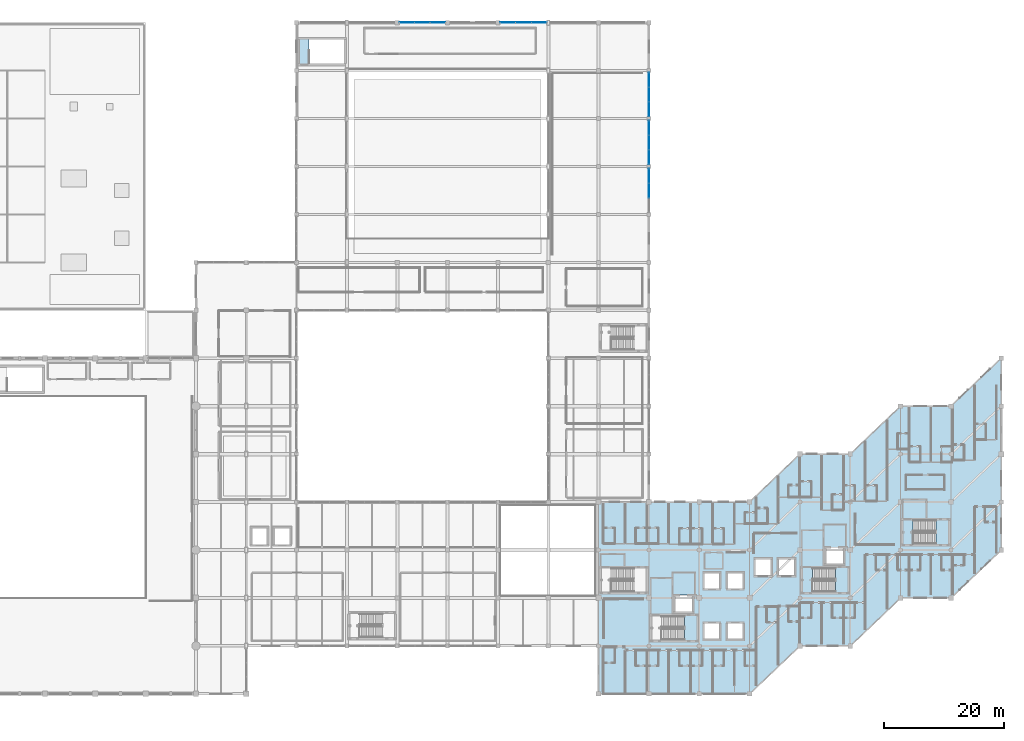
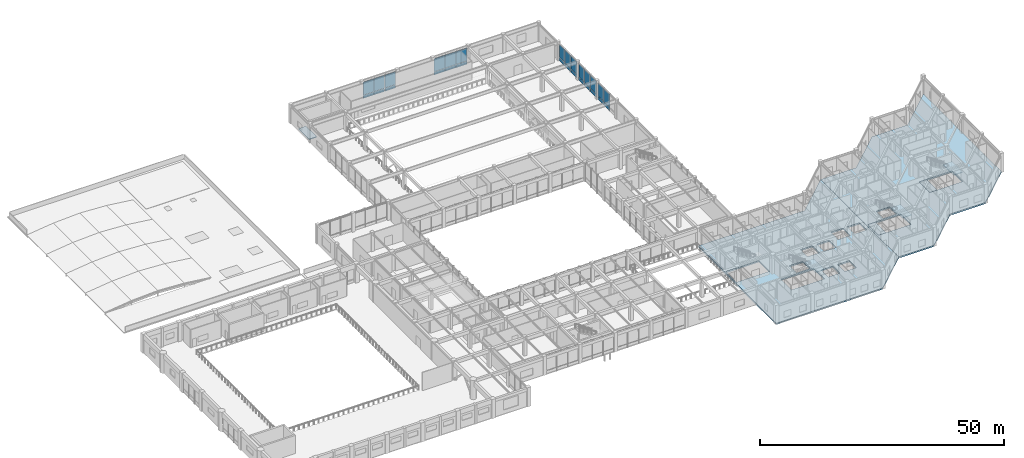
# One storey, part 48 of 76: 28 plates, 8 slabs, 8 elements without a shape of their own.
"""IFC4 building model written with IfcOpenShell, lengths in metres."""

from ifc_helpers import new_model, si_unit, direction, frame, origin, origin_2d, place, context, subcontext, project, spatial, polyline, rectangle, outline, extrude, material, layer, layer_set, type_object, element, aggregate, save


model = new_model("IFC4")

# Units and contexts
model_context = context("Model", 3, precision=1e-05, world=origin(), true_north=direction((0.0, 1.0)))
body_context = subcontext(model_context, "Body", "Model", "MODEL_VIEW")
ifc_project = project(units=[si_unit("LENGTHUNIT", "METRE"), si_unit("AREAUNIT", "SQUARE_METRE"), si_unit("VOLUMEUNIT", "CUBIC_METRE"), si_unit("PLANEANGLEUNIT", "RADIAN"), si_unit("MASSUNIT", "GRAM", prefix="KILO")], contexts=[model_context])

# Site, building, storey
site_placement = place(None, origin())
site = spatial("IfcSite", under=ifc_project, at=site_placement, CompositionType="ELEMENT")
building_placement = place(site_placement, origin())
building = spatial("IfcBuilding", under=site, at=building_placement, Name="Naruveol Harbour Congress Hotel", CompositionType="ELEMENT")
storey_placement = place(building_placement, frame((0.0, 0.0, 11.39990234375)))
storey = spatial("IfcBuildingStorey", under=building, at=storey_placement, Name="L02", CompositionType="ELEMENT", Elevation=11.39990234375)

# Curtain wall, plates
ifc_material_1 = material(Name="Low-E Curtain Wall System", Category="glass")
ifc_layer_1 = layer(ifc_material_1, 0.179931640625)
ifc_layer_set_1 = layer_set([ifc_layer_1], Name="Low-E Curtain Wall System")
curtain_wall_type_1 = type_object("IfcCurtainWallType", Name="UNITISED CURTAIN WALL CW-V2N-22 7700X4250", PredefinedType="USERDEFINED", material=ifc_layer_set_1)
curtain_wall_1_placement = place(storey_placement, origin())
curtain_wall_1 = element("IfcCurtainWall", 1, at=curtain_wall_1_placement, inside=storey, type_object=curtain_wall_type_1, Name="Unitised curtain wall CW-V2N-22 L02", ObjectType="UNITISED GLAZING", PredefinedType="USERDEFINED")
ifc_material_2 = material(Name="Anodised Aluminium Spandrel", Category="aluminium")
ifc_layer_2 = layer(ifc_material_2, 0.054931640625)
ifc_layer_set_2 = layer_set([ifc_layer_2], Name="Anodised Aluminium Spandrel")
plate_type_1 = type_object("IfcPlateType", Name="INSULATED CERAMIC SPANDREL PANEL 55", PredefinedType="CURTAIN_PANEL", material=ifc_layer_set_2)
plate_1_placement = place(storey_placement, frame((85.63330078125, 112.010009765625, 0.0400390625), z_axis=(0.0, 0.0, 1.0), x_axis=(1.0, 0.0, 0.0)))
plate_1 = element("IfcPlate", 2, at=plate_1_placement, type_object=plate_type_1, Name="Curtain wall spandrel panel CW-L02-0047-PS0", PredefinedType="CURTAIN_PANEL", context=body_context, shape_type="SweptSolid", body=[
    extrude(rectangle(XDim=2.487060546875, YDim=0.054931640625, at=origin_2d()), origin(), (0.0, 0.0, 1.0), 0.77001953125),
])
plate_2_placement = place(storey_placement, frame((88.199951171875, 112.010009765625, 0.0400390625), z_axis=(0.0, 0.0, 1.0), x_axis=(1.0, 0.0, 0.0)))
plate_2 = element("IfcPlate", 3, at=plate_2_placement, type_object=plate_type_1, Name="Curtain wall spandrel panel CW-L02-0047-PS1", PredefinedType="CURTAIN_PANEL", context=body_context, shape_type="SweptSolid", body=[
    extrude(rectangle(XDim=2.487060546875, YDim=0.054931640625, at=origin_2d()), origin(), (0.0, 0.0, 1.0), 0.77001953125),
])
plate_3_placement = place(storey_placement, frame((90.7666015625, 112.010009765625, 0.0400390625), z_axis=(0.0, 0.0, 1.0), x_axis=(1.0, 0.0, 0.0)))
plate_3 = element("IfcPlate", 4, at=plate_3_placement, type_object=plate_type_1, Name="Curtain wall spandrel panel CW-L02-0047-PS2", PredefinedType="CURTAIN_PANEL", context=body_context, shape_type="SweptSolid", body=[
    extrude(rectangle(XDim=2.487060546875, YDim=0.054931640625, at=origin_2d()), origin(), (0.0, 0.0, 1.0), 0.77001953125),
])

ifc_material_3 = material(Name="Low-E Curtain Wall System", Category="glass")
ifc_layer_3 = layer(ifc_material_3, 0.179931640625)
ifc_layer_set_3 = layer_set([ifc_layer_3], Name="Low-E Curtain Wall System")
curtain_wall_type_2 = type_object("IfcCurtainWallType", Name="UNITISED CURTAIN WALL CW-V2N-23 7800X4250", PredefinedType="USERDEFINED", material=ifc_layer_set_3)
curtain_wall_2_placement = place(storey_placement, origin())
curtain_wall_2 = element("IfcCurtainWall", 5, at=curtain_wall_2_placement, inside=storey, type_object=curtain_wall_type_2, Name="Unitised curtain wall CW-V2N-23 L02", ObjectType="UNITISED GLAZING", PredefinedType="USERDEFINED")
plate_4_placement = place(storey_placement, frame((102.449951171875, 112.010009765625, 0.0400390625), z_axis=(0.0, 0.0, 1.0), x_axis=(1.0, 0.0, 0.0)))
plate_4 = element("IfcPlate", 6, at=plate_4_placement, type_object=plate_type_1, Name="Curtain wall spandrel panel CW-L02-0048-PS0", PredefinedType="CURTAIN_PANEL", context=body_context, shape_type="SweptSolid", body=[
    extrude(rectangle(XDim=2.52001953125, YDim=0.054931640625, at=origin_2d()), origin(), (0.0, 0.0, 1.0), 0.77001953125),
])
plate_5_placement = place(storey_placement, frame((105.050048828125, 112.010009765625, 0.0400390625), z_axis=(0.0, 0.0, 1.0), x_axis=(1.0, 0.0, 0.0)))
plate_5 = element("IfcPlate", 7, at=plate_5_placement, type_object=plate_type_1, Name="Curtain wall spandrel panel CW-L02-0048-PS1", PredefinedType="CURTAIN_PANEL", context=body_context, shape_type="SweptSolid", body=[
    extrude(rectangle(XDim=2.52001953125, YDim=0.054931640625, at=origin_2d()), origin(), (0.0, 0.0, 1.0), 0.77001953125),
])
plate_6_placement = place(storey_placement, frame((107.64990234375, 112.010009765625, 0.0400390625), z_axis=(0.0, 0.0, 1.0), x_axis=(1.0, 0.0, 0.0)))
plate_6 = element("IfcPlate", 8, at=plate_6_placement, type_object=plate_type_1, Name="Curtain wall spandrel panel CW-L02-0048-PS2", PredefinedType="CURTAIN_PANEL", context=body_context, shape_type="SweptSolid", body=[
    extrude(rectangle(XDim=2.52001953125, YDim=0.054931640625, at=origin_2d()), origin(), (0.0, 0.0, 1.0), 0.77001953125),
])

ifc_material_4 = material(Name="Low-E Curtain Wall System", Category="glass")
ifc_layer_4 = layer(ifc_material_4, 0.179931640625)
ifc_layer_set_4 = layer_set([ifc_layer_4], Name="Low-E Curtain Wall System")
curtain_wall_type_3 = type_object("IfcCurtainWallType", Name="UNITISED CURTAIN WALL CW-V2E-24 7300X4250", PredefinedType="USERDEFINED", material=ifc_layer_set_4)
curtain_wall_3_placement = place(storey_placement, origin())
curtain_wall_3 = element("IfcCurtainWall", 9, at=curtain_wall_3_placement, inside=storey, type_object=curtain_wall_type_3, Name="Unitised curtain wall CW-V2E-24 L02", ObjectType="UNITISED GLAZING", PredefinedType="USERDEFINED")
plate_7_placement = place(storey_placement, frame((126.010009765625, 86.433349609375, 0.0400390625), z_axis=(0.0, 0.0, 1.0), x_axis=(0.0, -1.0, 0.0)))
plate_7 = element("IfcPlate", 10, at=plate_7_placement, type_object=plate_type_1, Name="Curtain wall spandrel panel CW-L02-0049-PS0", PredefinedType="CURTAIN_PANEL", context=body_context, shape_type="SweptSolid", body=[
    extrude(rectangle(XDim=2.35302734375, YDim=0.054931640625, at=origin_2d()), origin(), (0.0, 0.0, 1.0), 0.77001953125),
])
plate_8_placement = place(storey_placement, frame((126.010009765625, 84.0, 0.0400390625), z_axis=(0.0, 0.0, 1.0), x_axis=(0.0, -1.0, 0.0)))
plate_8 = element("IfcPlate", 11, at=plate_8_placement, type_object=plate_type_1, Name="Curtain wall spandrel panel CW-L02-0049-PS1", PredefinedType="CURTAIN_PANEL", context=body_context, shape_type="SweptSolid", body=[
    extrude(rectangle(XDim=2.35302734375, YDim=0.054931640625, at=origin_2d()), origin(), (0.0, 0.0, 1.0), 0.77001953125),
])

curtain_wall_4_placement = place(storey_placement, origin())
curtain_wall_4 = element("IfcCurtainWall", 12, at=curtain_wall_4_placement, inside=storey, type_object=curtain_wall_type_3, Name="Unitised curtain wall CW-V2E-24 L02", ObjectType="UNITISED GLAZING", PredefinedType="USERDEFINED")
plate_9_placement = place(storey_placement, frame((126.010009765625, 94.433349609375, 0.0400390625), z_axis=(0.0, 0.0, 1.0), x_axis=(0.0, -1.0, 0.0)))
plate_9 = element("IfcPlate", 13, at=plate_9_placement, type_object=plate_type_1, Name="Curtain wall spandrel panel CW-L02-0050-PS0", PredefinedType="CURTAIN_PANEL", context=body_context, shape_type="SweptSolid", body=[
    extrude(rectangle(XDim=2.35302734375, YDim=0.054931640625, at=origin_2d()), origin(), (0.0, 0.0, 1.0), 0.77001953125),
])
plate_10_placement = place(storey_placement, frame((126.010009765625, 92.0, 0.0400390625), z_axis=(0.0, 0.0, 1.0), x_axis=(0.0, -1.0, 0.0)))
plate_10 = element("IfcPlate", 14, at=plate_10_placement, type_object=plate_type_1, Name="Curtain wall spandrel panel CW-L02-0050-PS1", PredefinedType="CURTAIN_PANEL", context=body_context, shape_type="SweptSolid", body=[
    extrude(rectangle(XDim=2.35302734375, YDim=0.054931640625, at=origin_2d()), origin(), (0.0, 0.0, 1.0), 0.77001953125),
])
plate_11_placement = place(storey_placement, frame((126.010009765625, 89.566650390625, 0.0400390625), z_axis=(0.0, 0.0, 1.0), x_axis=(0.0, -1.0, 0.0)))
plate_11 = element("IfcPlate", 15, at=plate_11_placement, type_object=plate_type_1, Name="Curtain wall spandrel panel CW-L02-0050-PS2", PredefinedType="CURTAIN_PANEL", context=body_context, shape_type="SweptSolid", body=[
    extrude(rectangle(XDim=2.35302734375, YDim=0.054931640625, at=origin_2d()), origin(), (0.0, 0.0, 1.0), 0.77001953125),
])

curtain_wall_5_placement = place(storey_placement, origin())
curtain_wall_5 = element("IfcCurtainWall", 16, at=curtain_wall_5_placement, inside=storey, type_object=curtain_wall_type_3, Name="Unitised curtain wall CW-V2E-24 L02", ObjectType="UNITISED GLAZING", PredefinedType="USERDEFINED")
plate_12_placement = place(storey_placement, frame((126.010009765625, 102.433349609375, 0.0400390625), z_axis=(0.0, 0.0, 1.0), x_axis=(0.0, -1.0, 0.0)))
plate_12 = element("IfcPlate", 17, at=plate_12_placement, type_object=plate_type_1, Name="Curtain wall spandrel panel CW-L02-0051-PS0", PredefinedType="CURTAIN_PANEL", context=body_context, shape_type="SweptSolid", body=[
    extrude(rectangle(XDim=2.35302734375, YDim=0.054931640625, at=origin_2d()), origin(), (0.0, 0.0, 1.0), 0.77001953125),
])
plate_13_placement = place(storey_placement, frame((126.010009765625, 100.0, 0.0400390625), z_axis=(0.0, 0.0, 1.0), x_axis=(0.0, -1.0, 0.0)))
plate_13 = element("IfcPlate", 18, at=plate_13_placement, type_object=plate_type_1, Name="Curtain wall spandrel panel CW-L02-0051-PS1", PredefinedType="CURTAIN_PANEL", context=body_context, shape_type="SweptSolid", body=[
    extrude(rectangle(XDim=2.35302734375, YDim=0.054931640625, at=origin_2d()), origin(), (0.0, 0.0, 1.0), 0.77001953125),
])
plate_14_placement = place(storey_placement, frame((126.010009765625, 97.566650390625, 0.0400390625), z_axis=(0.0, 0.0, 1.0), x_axis=(0.0, -1.0, 0.0)))
plate_14 = element("IfcPlate", 19, at=plate_14_placement, type_object=plate_type_1, Name="Curtain wall spandrel panel CW-L02-0051-PS2", PredefinedType="CURTAIN_PANEL", context=body_context, shape_type="SweptSolid", body=[
    extrude(rectangle(XDim=2.35302734375, YDim=0.054931640625, at=origin_2d()), origin(), (0.0, 0.0, 1.0), 0.77001953125),
])

# Plate
ifc_material_5 = material(Name="Low-E Insulated Glass", Category="glass")
ifc_layer_5 = layer(ifc_material_5, 0.0419921875)
ifc_layer_set_5 = layer_set([ifc_layer_5], Name="Low-E Insulated Glass")
plate_type_2 = type_object("IfcPlateType", Name="LOW-E TRIPLE GLAZED CURTAIN PANEL 42", PredefinedType="CURTAIN_PANEL", material=ifc_layer_set_5)
plate_15_placement = place(storey_placement, frame((85.63330078125, 112.010009765625, 0.89013671875), z_axis=(0.0, 0.0, 1.0), x_axis=(1.0, 0.0, 0.0)))
plate_15 = element("IfcPlate", 20, at=plate_15_placement, type_object=plate_type_2, Name="Curtain wall vision panel CW-L02-0047-PG0", PredefinedType="CURTAIN_PANEL", context=body_context, shape_type="SweptSolid", body=[
    extrude(rectangle(XDim=2.487060546875, YDim=0.0419921875, at=origin_2d()), origin(), (0.0, 0.0, 1.0), 3.239990234375),
])

plate_16_placement = place(storey_placement, frame((88.199951171875, 112.010009765625, 0.89013671875), z_axis=(0.0, 0.0, 1.0), x_axis=(1.0, 0.0, 0.0)))
plate_16 = element("IfcPlate", 21, at=plate_16_placement, type_object=plate_type_2, Name="Curtain wall vision panel CW-L02-0047-PG1", PredefinedType="CURTAIN_PANEL", context=body_context, shape_type="SweptSolid", body=[
    extrude(rectangle(XDim=2.487060546875, YDim=0.0419921875, at=origin_2d()), origin(), (0.0, 0.0, 1.0), 3.239990234375),
])

plate_17_placement = place(storey_placement, frame((90.7666015625, 112.010009765625, 0.89013671875), z_axis=(0.0, 0.0, 1.0), x_axis=(1.0, 0.0, 0.0)))
plate_17 = element("IfcPlate", 22, at=plate_17_placement, type_object=plate_type_2, Name="Curtain wall vision panel CW-L02-0047-PG2", PredefinedType="CURTAIN_PANEL", context=body_context, shape_type="SweptSolid", body=[
    extrude(rectangle(XDim=2.487060546875, YDim=0.0419921875, at=origin_2d()), origin(), (0.0, 0.0, 1.0), 3.239990234375),
])

aggregate(curtain_wall_1, [plate_1, plate_15, plate_2, plate_16, plate_3, plate_17])

plate_18_placement = place(storey_placement, frame((102.449951171875, 112.010009765625, 0.89013671875), z_axis=(0.0, 0.0, 1.0), x_axis=(1.0, 0.0, 0.0)))
plate_18 = element("IfcPlate", 23, at=plate_18_placement, type_object=plate_type_2, Name="Curtain wall vision panel CW-L02-0048-PG0", PredefinedType="CURTAIN_PANEL", context=body_context, shape_type="SweptSolid", body=[
    extrude(rectangle(XDim=2.52001953125, YDim=0.0419921875, at=origin_2d()), origin(), (0.0, 0.0, 1.0), 3.239990234375),
])

plate_19_placement = place(storey_placement, frame((105.050048828125, 112.010009765625, 0.89013671875), z_axis=(0.0, 0.0, 1.0), x_axis=(1.0, 0.0, 0.0)))
plate_19 = element("IfcPlate", 24, at=plate_19_placement, type_object=plate_type_2, Name="Curtain wall vision panel CW-L02-0048-PG1", PredefinedType="CURTAIN_PANEL", context=body_context, shape_type="SweptSolid", body=[
    extrude(rectangle(XDim=2.52001953125, YDim=0.0419921875, at=origin_2d()), origin(), (0.0, 0.0, 1.0), 3.239990234375),
])

plate_20_placement = place(storey_placement, frame((107.64990234375, 112.010009765625, 0.89013671875), z_axis=(0.0, 0.0, 1.0), x_axis=(1.0, 0.0, 0.0)))
plate_20 = element("IfcPlate", 25, at=plate_20_placement, type_object=plate_type_2, Name="Curtain wall vision panel CW-L02-0048-PG2", PredefinedType="CURTAIN_PANEL", context=body_context, shape_type="SweptSolid", body=[
    extrude(rectangle(XDim=2.52001953125, YDim=0.0419921875, at=origin_2d()), origin(), (0.0, 0.0, 1.0), 3.239990234375),
])

aggregate(curtain_wall_2, [plate_4, plate_18, plate_5, plate_19, plate_6, plate_20])

plate_21_placement = place(storey_placement, frame((126.010009765625, 86.433349609375, 0.89013671875), z_axis=(0.0, 0.0, 1.0), x_axis=(0.0, -1.0, 0.0)))
plate_21 = element("IfcPlate", 26, at=plate_21_placement, type_object=plate_type_2, Name="Curtain wall vision panel CW-L02-0049-PG0", PredefinedType="CURTAIN_PANEL", context=body_context, shape_type="SweptSolid", body=[
    extrude(rectangle(XDim=2.35302734375, YDim=0.0419921875, at=origin_2d()), origin(), (0.0, 0.0, 1.0), 3.239990234375),
])

plate_22_placement = place(storey_placement, frame((126.010009765625, 84.0, 0.89013671875), z_axis=(0.0, 0.0, 1.0), x_axis=(0.0, -1.0, 0.0)))
plate_22 = element("IfcPlate", 27, at=plate_22_placement, type_object=plate_type_2, Name="Curtain wall vision panel CW-L02-0049-PG1", PredefinedType="CURTAIN_PANEL", context=body_context, shape_type="SweptSolid", body=[
    extrude(rectangle(XDim=2.35302734375, YDim=0.0419921875, at=origin_2d()), origin(), (0.0, 0.0, 1.0), 3.239990234375),
])

aggregate(curtain_wall_3, [plate_7, plate_21, plate_8, plate_22])

plate_23_placement = place(storey_placement, frame((126.010009765625, 94.433349609375, 0.89013671875), z_axis=(0.0, 0.0, 1.0), x_axis=(0.0, -1.0, 0.0)))
plate_23 = element("IfcPlate", 28, at=plate_23_placement, type_object=plate_type_2, Name="Curtain wall vision panel CW-L02-0050-PG0", PredefinedType="CURTAIN_PANEL", context=body_context, shape_type="SweptSolid", body=[
    extrude(rectangle(XDim=2.35302734375, YDim=0.0419921875, at=origin_2d()), origin(), (0.0, 0.0, 1.0), 3.239990234375),
])

plate_24_placement = place(storey_placement, frame((126.010009765625, 92.0, 0.89013671875), z_axis=(0.0, 0.0, 1.0), x_axis=(0.0, -1.0, 0.0)))
plate_24 = element("IfcPlate", 29, at=plate_24_placement, type_object=plate_type_2, Name="Curtain wall vision panel CW-L02-0050-PG1", PredefinedType="CURTAIN_PANEL", context=body_context, shape_type="SweptSolid", body=[
    extrude(rectangle(XDim=2.35302734375, YDim=0.0419921875, at=origin_2d()), origin(), (0.0, 0.0, 1.0), 3.239990234375),
])

plate_25_placement = place(storey_placement, frame((126.010009765625, 89.566650390625, 0.89013671875), z_axis=(0.0, 0.0, 1.0), x_axis=(0.0, -1.0, 0.0)))
plate_25 = element("IfcPlate", 30, at=plate_25_placement, type_object=plate_type_2, Name="Curtain wall vision panel CW-L02-0050-PG2", PredefinedType="CURTAIN_PANEL", context=body_context, shape_type="SweptSolid", body=[
    extrude(rectangle(XDim=2.35302734375, YDim=0.0419921875, at=origin_2d()), origin(), (0.0, 0.0, 1.0), 3.239990234375),
])

aggregate(curtain_wall_4, [plate_9, plate_23, plate_10, plate_24, plate_11, plate_25])

plate_26_placement = place(storey_placement, frame((126.010009765625, 102.433349609375, 0.89013671875), z_axis=(0.0, 0.0, 1.0), x_axis=(0.0, -1.0, 0.0)))
plate_26 = element("IfcPlate", 31, at=plate_26_placement, type_object=plate_type_2, Name="Curtain wall vision panel CW-L02-0051-PG0", PredefinedType="CURTAIN_PANEL", context=body_context, shape_type="SweptSolid", body=[
    extrude(rectangle(XDim=2.35302734375, YDim=0.0419921875, at=origin_2d()), origin(), (0.0, 0.0, 1.0), 3.239990234375),
])

plate_27_placement = place(storey_placement, frame((126.010009765625, 100.0, 0.89013671875), z_axis=(0.0, 0.0, 1.0), x_axis=(0.0, -1.0, 0.0)))
plate_27 = element("IfcPlate", 32, at=plate_27_placement, type_object=plate_type_2, Name="Curtain wall vision panel CW-L02-0051-PG1", PredefinedType="CURTAIN_PANEL", context=body_context, shape_type="SweptSolid", body=[
    extrude(rectangle(XDim=2.35302734375, YDim=0.0419921875, at=origin_2d()), origin(), (0.0, 0.0, 1.0), 3.239990234375),
])

plate_28_placement = place(storey_placement, frame((126.010009765625, 97.566650390625, 0.89013671875), z_axis=(0.0, 0.0, 1.0), x_axis=(0.0, -1.0, 0.0)))
plate_28 = element("IfcPlate", 33, at=plate_28_placement, type_object=plate_type_2, Name="Curtain wall vision panel CW-L02-0051-PG2", PredefinedType="CURTAIN_PANEL", context=body_context, shape_type="SweptSolid", body=[
    extrude(rectangle(XDim=2.35302734375, YDim=0.0419921875, at=origin_2d()), origin(), (0.0, 0.0, 1.0), 3.239990234375),
])

aggregate(curtain_wall_5, [plate_12, plate_26, plate_13, plate_27, plate_14, plate_28])

# Slabs
ifc_material_6 = material(Name="Concrete C40/50", Category="concrete")
ifc_layer_6 = layer(ifc_material_6, 0.35009765625)
ifc_layer_set_6 = layer_set([ifc_layer_6], Name="Concrete C40/50")
slab_type_1 = type_object("IfcSlabType", Name="RC GROUND CONCOURSE SLAB 350", PredefinedType="FLOOR", material=ifc_layer_set_6)
slab_1_placement = place(storey_placement, frame((0.0, 0.0, -0.349853515625)))
element("IfcSlab", 34, at=slab_1_placement, inside=storey, type_object=slab_type_1, Name="Level L02 Hotel transfer west slab", PredefinedType="FLOOR", context=body_context, shape_type="SweptSolid", body=[
    extrude(outline(polyline([(117.60009765625, 0.0), (126.0, 0.0), (134.39990234375, 0.0), (142.800048828125, 0.0), (151.199951171875, 8.0), (151.199951171875, 40.0), (142.800048828125, 32.0), (134.39990234375, 32.0), (126.0, 32.0), (117.60009765625, 32.0), (117.60009765625, 0.0)]), holes=[polyline([(126.300048828125, 8.800048828125), (134.10009765625, 8.800048828125), (134.10009765625, 13.159912109375), (126.300048828125, 13.159912109375), (126.300048828125, 8.800048828125)]), polyline([(117.89990234375, 16.800048828125), (125.699951171875, 16.800048828125), (125.699951171875, 21.159912109375), (117.89990234375, 21.159912109375), (117.89990234375, 16.800048828125)]), polyline([(135.10009765625, 17.39990234375), (137.89990234375, 17.39990234375), (137.89990234375, 20.300048828125), (135.10009765625, 20.300048828125), (135.10009765625, 17.39990234375)]), polyline([(139.0, 17.39990234375), (141.800048828125, 17.39990234375), (141.800048828125, 20.300048828125), (139.0, 20.300048828125), (139.0, 17.39990234375)]), polyline([(135.10009765625, 9.0), (137.89990234375, 9.0), (137.89990234375, 11.89990234375), (135.10009765625, 11.89990234375), (135.10009765625, 9.0)]), polyline([(139.0, 9.0), (141.800048828125, 9.0), (141.800048828125, 11.89990234375), (139.0, 11.89990234375), (139.0, 9.0)]), polyline([(130.199951171875, 13.550048828125), (133.39990234375, 13.550048828125), (133.39990234375, 16.449951171875), (130.199951171875, 16.449951171875), (130.199951171875, 13.550048828125)]), polyline([(143.60009765625, 19.60009765625), (146.5, 19.60009765625), (146.5, 22.60009765625), (143.60009765625, 22.60009765625), (143.60009765625, 19.60009765625)]), polyline([(147.5, 19.60009765625), (150.39990234375, 19.60009765625), (150.39990234375, 22.60009765625), (147.5, 22.60009765625), (147.5, 19.60009765625)])]), origin(), (0.0, 0.0, 1.0), 0.349853515625),
])
slab_2_placement = place(storey_placement, frame((0.0, 0.0, -0.349853515625)))
element("IfcSlab", 35, at=slab_2_placement, inside=storey, type_object=slab_type_1, Name="Level L02 Hotel transfer east slab", PredefinedType="FLOOR", context=body_context, shape_type="SweptSolid", body=[
    extrude(outline(polyline([(151.199951171875, 8.0), (159.60009765625, 8.0), (168.0, 16.0), (176.39990234375, 16.0), (184.800048828125, 24.0), (184.800048828125, 56.0), (176.39990234375, 48.0), (168.0, 48.0), (159.60009765625, 40.0), (151.199951171875, 40.0), (151.199951171875, 8.0)]), holes=[polyline([(151.5, 16.800048828125), (159.300048828125, 16.800048828125), (159.300048828125, 21.159912109375), (151.5, 21.159912109375), (151.5, 16.800048828125)]), polyline([(168.300048828125, 24.800048828125), (176.10009765625, 24.800048828125), (176.10009765625, 29.159912109375), (168.300048828125, 29.159912109375), (168.300048828125, 24.800048828125)]), polyline([(155.39990234375, 21.550048828125), (158.60009765625, 21.550048828125), (158.60009765625, 24.449951171875), (155.39990234375, 24.449951171875), (155.39990234375, 21.550048828125)])]), origin(), (0.0, 0.0, 1.0), 0.349853515625),
])

# Stair, slab
ifc_material_7 = material(Name="Concrete C40/50", Category="concrete")
stair_type = type_object("IfcStairType", Name="RC DOG LEG ESCAPE STAIR 1800W H4800", PredefinedType="HALF_TURN_STAIR", material=ifc_material_7)
stair_1_placement = place(storey_placement, origin())
stair_1 = element("IfcStair", 36, at=stair_1_placement, inside=storey, type_object=stair_type, Name="Special Escape Stair ST1 L02 to L03", PredefinedType="HALF_TURN_STAIR")
ifc_material_8 = material(Name="Concrete C40/50", Category="concrete")
ifc_layer_7 = layer(ifc_material_8, 0.179931640625)
ifc_layer_set_7 = layer_set([ifc_layer_7], Name="Concrete C40/50")
slab_type_2 = type_object("IfcSlabType", Name="RC STAIR HALF LANDING SLAB 180", PredefinedType="LANDING", material=ifc_layer_set_7)
slab_3_placement = place(storey_placement, frame((0.0, 0.0, 2.22021484375)))
slab_3 = element("IfcSlab", 37, at=slab_3_placement, type_object=slab_type_2, Name="ST1 L02 half landing", PredefinedType="LANDING", context=body_context, shape_type="SweptSolid", body=[
    extrude(outline(polyline([(131.93505859375, 8.800048828125), (134.10009765625, 8.800048828125), (134.10009765625, 13.159912109375), (131.93505859375, 13.159912109375), (131.93505859375, 8.800048828125)])), origin(), (0.0, 0.0, 1.0), 0.179931640625),
])
aggregate(stair_1, [slab_3])

# Slab
slab_4_placement = place(storey_placement, frame((0.0, 0.0, -0.179931640625)))
element("IfcSlab", 38, at=slab_4_placement, inside=storey, type_object=slab_type_2, Name="Stair ST2 L02 floor landing", PredefinedType="LANDING", context=body_context, shape_type="SweptSolid", body=[
    extrude(outline(polyline([(151.5, 16.800048828125), (153.300048828125, 16.800048828125), (153.300048828125, 21.159912109375), (151.5, 21.159912109375), (151.5, 16.800048828125)])), origin(), (0.0, 0.0, 1.0), 0.179931640625),
])

# Stair, slab
stair_2_placement = place(storey_placement, origin())
stair_2 = element("IfcStair", 39, at=stair_2_placement, inside=storey, type_object=stair_type, Name="Special Escape Stair ST2 L02 to L03", PredefinedType="HALF_TURN_STAIR")
slab_5_placement = place(storey_placement, frame((0.0, 0.0, 2.22021484375)))
slab_5 = element("IfcSlab", 40, at=slab_5_placement, type_object=slab_type_2, Name="ST2 L02 half landing", PredefinedType="LANDING", context=body_context, shape_type="SweptSolid", body=[
    extrude(outline(polyline([(157.135009765625, 16.800048828125), (159.300048828125, 16.800048828125), (159.300048828125, 21.159912109375), (157.135009765625, 21.159912109375), (157.135009765625, 16.800048828125)])), origin(), (0.0, 0.0, 1.0), 0.179931640625),
])
aggregate(stair_2, [slab_5])

# Slab
slab_6_placement = place(storey_placement, frame((0.0, 0.0, -0.179931640625)))
element("IfcSlab", 41, at=slab_6_placement, inside=storey, type_object=slab_type_2, Name="Stair ST4 L02 floor landing", PredefinedType="LANDING", context=body_context, shape_type="SweptSolid", body=[
    extrude(outline(polyline([(168.300048828125, 24.800048828125), (170.10009765625, 24.800048828125), (170.10009765625, 29.159912109375), (168.300048828125, 29.159912109375), (168.300048828125, 24.800048828125)])), origin(), (0.0, 0.0, 1.0), 0.179931640625),
])

# Stair, slab
stair_3_placement = place(storey_placement, origin())
stair_3 = element("IfcStair", 42, at=stair_3_placement, inside=storey, type_object=stair_type, Name="Special Escape Stair ST4 L02 to L03", PredefinedType="HALF_TURN_STAIR")
slab_7_placement = place(storey_placement, frame((0.0, 0.0, 2.22021484375)))
slab_7 = element("IfcSlab", 43, at=slab_7_placement, type_object=slab_type_2, Name="ST4 L02 half landing", PredefinedType="LANDING", context=body_context, shape_type="SweptSolid", body=[
    extrude(outline(polyline([(173.93505859375, 24.800048828125), (176.10009765625, 24.800048828125), (176.10009765625, 29.159912109375), (173.93505859375, 29.159912109375), (173.93505859375, 24.800048828125)])), origin(), (0.0, 0.0, 1.0), 0.179931640625),
])
aggregate(stair_3, [slab_7])

# Slab
slab_8_placement = place(storey_placement, frame((0.0, 0.0, -0.179931640625)))
element("IfcSlab", 44, at=slab_8_placement, inside=storey, type_object=slab_type_2, Name="Stair ST8 L02 floor landing", PredefinedType="LANDING", context=body_context, shape_type="SweptSolid", body=[
    extrude(outline(polyline([(67.5, 105.0), (69.300048828125, 105.0), (69.300048828125, 109.360107421875), (67.5, 109.360107421875), (67.5, 105.0)])), origin(), (0.0, 0.0, 1.0), 0.179931640625),
])

save(model, "model.ifc")
